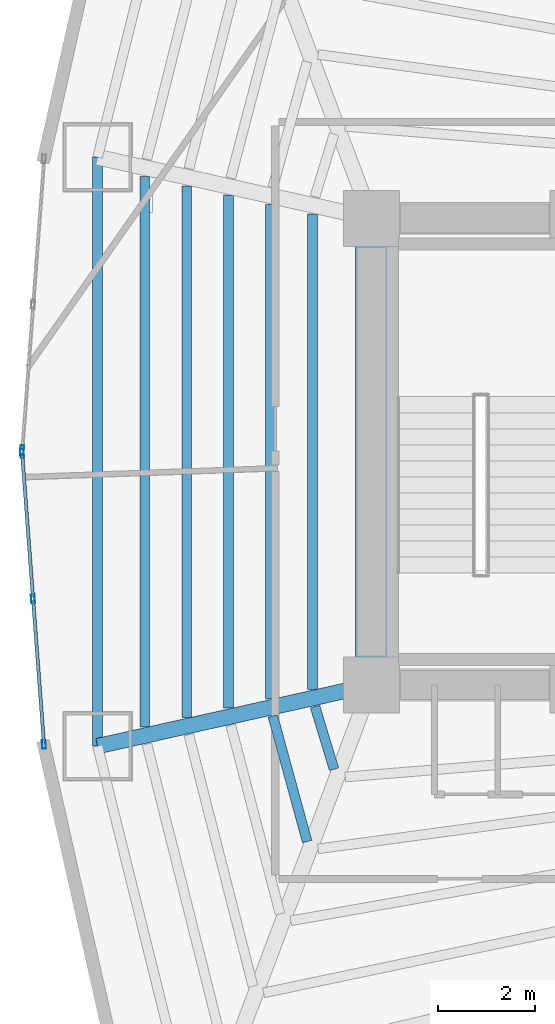
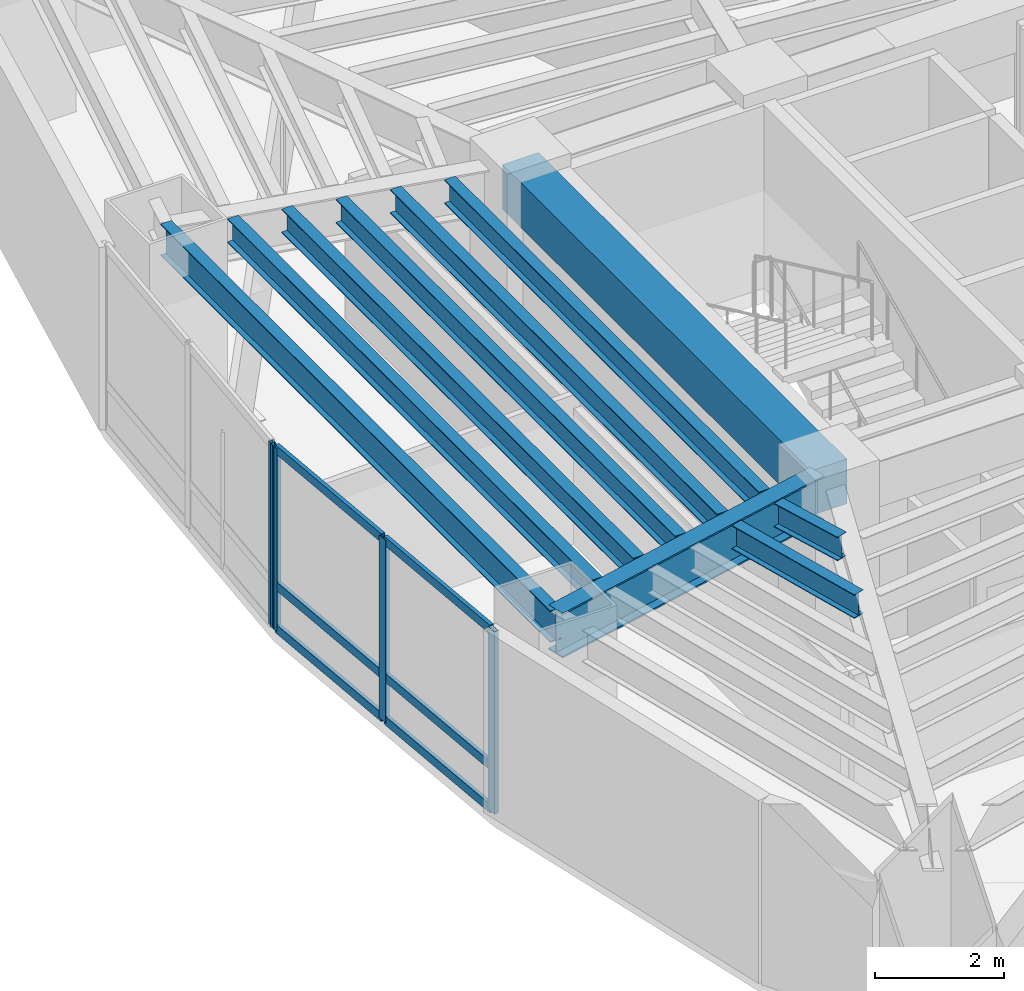
# One storey, part 3 of 20: 10 beams, 10 members, 2 elements without a shape of their own.
"""IFC4 building model written with IfcOpenShell, lengths in metres."""

from ifc_helpers import new_model, si_unit, direction, frame, origin, origin_2d, place, context, subcontext, project, spatial, rectangle, hollow_rectangle, i_section, extrude, material, layer, layer_set, material_profile, profile_set, type_object, element, aggregate, save


model = new_model("IFC4")

# Units and contexts
model_context = context("Model", 3, precision=1e-05, world=origin(), true_north=direction((0.0, 1.0)))
body_context = subcontext(model_context, "Body", "Model", "MODEL_VIEW")
ifc_project = project(units=[si_unit("LENGTHUNIT", "METRE"), si_unit("AREAUNIT", "SQUARE_METRE"), si_unit("VOLUMEUNIT", "CUBIC_METRE"), si_unit("PLANEANGLEUNIT", "RADIAN"), si_unit("MASSUNIT", "GRAM", prefix="KILO")], contexts=[model_context])

# Site, building, storey
site_placement = place(None, origin())
site = spatial("IfcSite", under=ifc_project, at=site_placement, CompositionType="ELEMENT")
building_placement = place(site_placement, origin())
building = spatial("IfcBuilding", under=site, at=building_placement, Name="Menara Vayukalpa", CompositionType="ELEMENT")
storey_placement = place(building_placement, frame((0.0, 0.0, 57.360107421875)))
storey = spatial("IfcBuildingStorey", under=building, at=storey_placement, Name="L13", CompositionType="ELEMENT", Elevation=57.360107421875)

# Beams
ifc_material_1 = material(Name="Concrete C60/75", Category="concrete")
ifc_material_profile_1 = material_profile(ifc_material_1, rectangle(XDim=0.64990234375, YDim=0.85009765625, at=origin_2d()), Name="RC 650x850")
ifc_profile_set_1 = profile_set([ifc_material_profile_1], Name="Concrete C60/75")
beam_type_1 = type_object("IfcBeamType", Name="BM-CB1", PredefinedType="BEAM", material=ifc_profile_set_1)
beam_1_placement = place(storey_placement, frame((17.800048828125, 17.199951171875, 3.044921875), z_axis=(0.0, 1.0, 0.0), x_axis=(-1.0, 0.0, 0.0)))
element("IfcBeam", 1, at=beam_1_placement, inside=storey, type_object=beam_type_1, Name="L13 Core Tie Beam CBR7", PredefinedType="BEAM", context=body_context, shape_type="SweptSolid", body=[
    extrude(rectangle(XDim=0.64990234375, YDim=0.85009765625, at=origin_2d()), origin(), (0.0, 0.0, 1.0), 9.60009765625),
])
ifc_material_2 = material(Name="Steel S355", Category="steel")
ifc_material_profile_2 = material_profile(ifc_material_2, i_section(OverallWidth=0.320068359375, OverallDepth=0.85009765625, WebThickness=0.01611328125, FlangeThickness=0.030029296875, at=origin_2d()), Name="WF 850x320x16x30")
ifc_profile_set_2 = profile_set([ifc_material_profile_2], Name="Steel S355")
beam_type_2 = type_object("IfcBeamType", Name="BM-PG2", PredefinedType="BEAM", material=ifc_profile_set_2)
beam_2_placement = place(storey_placement, frame((17.555908203125, 17.1455078125, 3.044921875), z_axis=(-0.975920137818, -0.218128138031, 0.0), x_axis=(0.218128138031, -0.975920137818, 0.0)))
element("IfcBeam", 2, at=beam_2_placement, inside=storey, type_object=beam_type_2, Name="L13 Primary Radial Girder RG06", PredefinedType="BEAM", context=body_context, shape_type="SweptSolid", body=[
    extrude(i_section(OverallWidth=0.320068359375, OverallDepth=0.85009765625, WebThickness=0.01611328125, FlangeThickness=0.030029296875, at=origin_2d()), origin(), (0.0, 0.0, 1.0), 5.524658203125),
])
ifc_material_3 = material(Name="Steel S355", Category="steel")
ifc_material_profile_3 = material_profile(ifc_material_3, i_section(OverallWidth=0.199951171875, OverallDepth=0.449951171875, WebThickness=0.009033203125, FlangeThickness=0.013916015625, at=origin_2d()), Name="WF 450x200x9x14")
ifc_profile_set_3 = profile_set([ifc_material_profile_3], Name="Steel S355")
beam_type_3 = type_object("IfcBeamType", Name="BM-SJ1", PredefinedType="JOIST", material=ifc_profile_set_3)
beam_3_placement = place(storey_placement, frame((16.58544921875, 26.891357421875, 3.244873046875), z_axis=(0.0, -1.0, 0.0), x_axis=(1.0, 0.0, 0.0)))
element("IfcBeam", 3, at=beam_3_placement, inside=storey, type_object=beam_type_3, Name="L13 Secondary Floor Joist SJ05-1", PredefinedType="JOIST", context=body_context, shape_type="SweptSolid", body=[
    extrude(i_section(OverallWidth=0.199951171875, OverallDepth=0.449951171875, WebThickness=0.009033203125, FlangeThickness=0.013916015625, at=origin_2d()), origin(), (0.0, 0.0, 1.0), 9.78271484375),
])
beam_4_placement = place(storey_placement, frame((15.722900390625, 27.084228515625, 3.244873046875), z_axis=(0.0, -1.0, 0.0), x_axis=(1.0, 0.0, 0.0)))
element("IfcBeam", 4, at=beam_4_placement, inside=storey, type_object=beam_type_3, Name="L13 Secondary Floor Joist SJ05-2", PredefinedType="JOIST", context=body_context, shape_type="SweptSolid", body=[
    extrude(i_section(OverallWidth=0.199951171875, OverallDepth=0.449951171875, WebThickness=0.009033203125, FlangeThickness=0.013916015625, at=origin_2d()), origin(), (0.0, 0.0, 1.0), 10.16845703125),
])
beam_5_placement = place(storey_placement, frame((14.860107421875, 27.277099609375, 3.244873046875), z_axis=(0.0, -1.0, 0.0), x_axis=(1.0, 0.0, 0.0)))
element("IfcBeam", 5, at=beam_5_placement, inside=storey, type_object=beam_type_3, Name="L13 Secondary Floor Joist SJ05-3", PredefinedType="JOIST", context=body_context, shape_type="SweptSolid", body=[
    extrude(i_section(OverallWidth=0.199951171875, OverallDepth=0.449951171875, WebThickness=0.009033203125, FlangeThickness=0.013916015625, at=origin_2d()), origin(), (0.0, 0.0, 1.0), 10.55419921875),
])
beam_6_placement = place(storey_placement, frame((13.997314453125, 27.469970703125, 3.244873046875), z_axis=(0.0, -1.0, 0.0), x_axis=(1.0, 0.0, 0.0)))
element("IfcBeam", 6, at=beam_6_placement, inside=storey, type_object=beam_type_3, Name="L13 Secondary Floor Joist SJ05-4", PredefinedType="JOIST", context=body_context, shape_type="SweptSolid", body=[
    extrude(i_section(OverallWidth=0.199951171875, OverallDepth=0.449951171875, WebThickness=0.009033203125, FlangeThickness=0.013916015625, at=origin_2d()), origin(), (0.0, 0.0, 1.0), 10.93994140625),
])
beam_7_placement = place(storey_placement, frame((13.134765625, 27.66259765625, 3.244873046875), z_axis=(0.0, -1.0, 0.0), x_axis=(1.0, 0.0, 0.0)))
element("IfcBeam", 7, at=beam_7_placement, inside=storey, type_object=beam_type_3, Name="L13 Secondary Floor Joist SJ05-5", PredefinedType="JOIST", context=body_context, shape_type="SweptSolid", body=[
    extrude(i_section(OverallWidth=0.199951171875, OverallDepth=0.449951171875, WebThickness=0.009033203125, FlangeThickness=0.013916015625, at=origin_2d()), origin(), (0.0, 0.0, 1.0), 11.3251953125),
])
beam_8_placement = place(storey_placement, frame((16.6376953125, 16.75634765625, 3.244873046875), z_axis=(0.291010568606, -0.956719838281, 0.0), x_axis=(0.956719838281, 0.291010568606, 0.0)))
element("IfcBeam", 8, at=beam_8_placement, inside=storey, type_object=beam_type_3, Name="L13 Secondary Floor Joist SJ06-1", PredefinedType="JOIST", context=body_context, shape_type="SweptSolid", body=[
    extrude(i_section(OverallWidth=0.199951171875, OverallDepth=0.449951171875, WebThickness=0.009033203125, FlangeThickness=0.013916015625, at=origin_2d()), origin(), (0.0, 0.0, 1.0), 1.3505859375),
])
beam_9_placement = place(storey_placement, frame((15.770263671875, 16.56201171875, 3.244873046875), z_axis=(0.263618546233, -0.964627006714, 0.0), x_axis=(0.964627006714, 0.263618546233, 0.0)))
element("IfcBeam", 9, at=beam_9_placement, inside=storey, type_object=beam_type_3, Name="L13 Secondary Floor Joist SJ06-2", PredefinedType="JOIST", context=body_context, shape_type="SweptSolid", body=[
    extrude(i_section(OverallWidth=0.199951171875, OverallDepth=0.449951171875, WebThickness=0.009033203125, FlangeThickness=0.013916015625, at=origin_2d()), origin(), (0.0, 0.0, 1.0), 2.67919921875),
])
ifc_material_4 = material(Name="Steel S355", Category="steel")
ifc_material_profile_4 = material_profile(ifc_material_4, i_section(OverallWidth=0.199951171875, OverallDepth=0.60009765625, WebThickness=0.010986328125, FlangeThickness=0.01708984375, at=origin_2d()), Name="WF 600x200x11x17")
ifc_profile_set_4 = profile_set([ifc_material_profile_4], Name="Steel S355")
beam_type_4 = type_object("IfcBeamType", Name="BM-SP1", PredefinedType="SPANDREL", material=ifc_profile_set_4)
beam_10_placement = place(storey_placement, frame((12.164306640625, 28.0595703125, 3.169921875), z_axis=(0.0, -1.0, 0.0), x_axis=(1.0, 0.0, 0.0)))
element("IfcBeam", 10, at=beam_10_placement, inside=storey, type_object=beam_type_4, Name="L13 Perimeter Spandrel Beam SP05", PredefinedType="SPANDREL", context=body_context, shape_type="SweptSolid", body=[
    extrude(i_section(OverallWidth=0.199951171875, OverallDepth=0.60009765625, WebThickness=0.010986328125, FlangeThickness=0.01708984375, at=origin_2d()), origin(), (0.0, 0.0, 1.0), 12.119140625),
])

# Curtain wall, member
ifc_material_5 = material(Name="Anodised Terracotta Aluminium Alloy 6063-T6", Category="masonry")
ifc_layer = layer(ifc_material_5, 0.179931640625)
ifc_layer_set = layer_set([ifc_layer], Name="Anodised Terracotta Aluminium Alloy 6063-T6")
curtain_wall_type = type_object("IfcCurtainWallType", Name="CW-CW4", PredefinedType="USERDEFINED", material=ifc_layer_set)
curtain_wall_1_placement = place(storey_placement, origin())
curtain_wall_1 = element("IfcCurtainWall", 11, at=curtain_wall_1_placement, inside=storey, type_object=curtain_wall_type, Name="L13 Sky Bar Cantilever Glazed Curtain Wall CW4 10", ObjectType="UNITISED", PredefinedType="USERDEFINED")
ifc_material_6 = material(Name="Anodised Terracotta Aluminium Alloy 6063-T6", Category="masonry")
ifc_material_profile_5 = material_profile(ifc_material_6, hollow_rectangle(XDim=0.074951171875, YDim=0.179931640625, WallThickness=0.00390625, at=origin_2d()), Name="ALU 75x180x4")
ifc_profile_set_5 = profile_set([ifc_material_profile_5], Name="Anodised Terracotta Aluminium Alloy 6063-T6")
member_type_1 = type_object("IfcMemberType", Name="CWM-CW4", PredefinedType="MULLION", material=ifc_profile_set_5)
member_1_placement = place(storey_placement, frame((10.612548828125, 22.037353515625, 0.0), z_axis=(0.0, 0.0, 1.0), x_axis=(0.997198941676, -0.074794857576, 0.0)))
member_1 = element("IfcMember", 12, at=member_1_placement, type_object=member_type_1, Name="CW4 mullion 3", PredefinedType="MULLION", context=body_context, shape_type="SweptSolid", body=[
    extrude(hollow_rectangle(XDim=0.074951171875, YDim=0.179931640625, WallThickness=0.00390625, at=origin_2d()), origin(), (0.0, 0.0, 1.0), 3.469970703125),
])
aggregate(curtain_wall_1, [member_1])

# Curtain wall, members
curtain_wall_2_placement = place(storey_placement, origin())
curtain_wall_2 = element("IfcCurtainWall", 13, at=curtain_wall_2_placement, inside=storey, type_object=curtain_wall_type, Name="L13 Sky Bar Cantilever Glazed Curtain Wall CW4 11", ObjectType="UNITISED", PredefinedType="USERDEFINED")
member_2_placement = place(storey_placement, frame((10.612548828125, 21.962646484375, 0.0), z_axis=(0.0, 0.0, 1.0), x_axis=(0.997198941676, 0.074794857576, 0.0)))
member_2 = element("IfcMember", 14, at=member_2_placement, type_object=member_type_1, Name="CW4 mullion 1", PredefinedType="MULLION", context=body_context, shape_type="SweptSolid", body=[
    extrude(hollow_rectangle(XDim=0.074951171875, YDim=0.179931640625, WallThickness=0.00390625, at=origin_2d()), origin(), (0.0, 0.0, 1.0), 3.469970703125),
])
member_3_placement = place(storey_placement, frame((10.8369140625, 18.97021484375, 0.0), z_axis=(0.0, 0.0, 1.0), x_axis=(0.997198941676, 0.074794857576, 0.0)))
member_3 = element("IfcMember", 15, at=member_3_placement, type_object=member_type_1, Name="CW4 mullion 2", PredefinedType="MULLION", context=body_context, shape_type="SweptSolid", body=[
    extrude(hollow_rectangle(XDim=0.074951171875, YDim=0.179931640625, WallThickness=0.00390625, at=origin_2d()), origin(), (0.0, 0.0, 1.0), 3.469970703125),
])
member_4_placement = place(storey_placement, frame((11.061279296875, 15.977783203125, 0.0), z_axis=(0.0, 0.0, 1.0), x_axis=(0.997198941676, 0.074794857576, 0.0)))
member_4 = element("IfcMember", 16, at=member_4_placement, type_object=member_type_1, Name="CW4 mullion 3", PredefinedType="MULLION", context=body_context, shape_type="SweptSolid", body=[
    extrude(hollow_rectangle(XDim=0.074951171875, YDim=0.179931640625, WallThickness=0.00390625, at=origin_2d()), origin(), (0.0, 0.0, 1.0), 3.469970703125),
])
ifc_material_7 = material(Name="Anodised Terracotta Aluminium Alloy 6063-T6", Category="masonry")
ifc_material_profile_6 = material_profile(ifc_material_7, hollow_rectangle(XDim=0.070068359375, YDim=0.1650390625, WallThickness=0.00390625, at=origin_2d()), Name="ALU 70x165x4")
ifc_profile_set_6 = profile_set([ifc_material_profile_6], Name="Anodised Terracotta Aluminium Alloy 6063-T6")
member_type_2 = type_object("IfcMemberType", Name="CWT-CW4", PredefinedType="USERDEFINED", material=ifc_profile_set_6)
member_5_placement = place(storey_placement, frame((10.615234375, 21.92529296875, 0.034912109375), z_axis=(0.074845955291, -0.997195107778, 0.0), x_axis=(0.997195107778, 0.074845955291, 0.0)))
member_5 = element("IfcMember", 17, at=member_5_placement, type_object=member_type_2, Name="CW4 transom 1.1", ObjectType="TRANSOM", PredefinedType="USERDEFINED", context=body_context, shape_type="SweptSolid", body=[
    extrude(hollow_rectangle(XDim=0.070068359375, YDim=0.1650390625, WallThickness=0.00390625, at=origin_2d()), origin(), (0.0, 0.0, 1.0), 2.926025390625),
])
member_6_placement = place(storey_placement, frame((10.615234375, 21.92529296875, 0.849853515625), z_axis=(0.074845955291, -0.997195107778, 0.0), x_axis=(0.997195107778, 0.074845955291, 0.0)))
member_6 = element("IfcMember", 18, at=member_6_placement, type_object=member_type_2, Name="CW4 transom 1.2", ObjectType="TRANSOM", PredefinedType="USERDEFINED", context=body_context, shape_type="SweptSolid", body=[
    extrude(hollow_rectangle(XDim=0.070068359375, YDim=0.1650390625, WallThickness=0.00390625, at=origin_2d()), origin(), (0.0, 0.0, 1.0), 2.926025390625),
])
member_7_placement = place(storey_placement, frame((10.615234375, 21.92529296875, 3.434814453125), z_axis=(0.074845955291, -0.997195107778, 0.0), x_axis=(0.997195107778, 0.074845955291, 0.0)))
member_7 = element("IfcMember", 19, at=member_7_placement, type_object=member_type_2, Name="CW4 transom 1.3", ObjectType="TRANSOM", PredefinedType="USERDEFINED", context=body_context, shape_type="SweptSolid", body=[
    extrude(hollow_rectangle(XDim=0.070068359375, YDim=0.1650390625, WallThickness=0.00390625, at=origin_2d()), origin(), (0.0, 0.0, 1.0), 2.926025390625),
])
member_8_placement = place(storey_placement, frame((10.83984375, 18.932861328125, 0.034912109375), z_axis=(0.074762981632, -0.997201332017, 0.0), x_axis=(0.997201332017, 0.074762981632, 0.0)))
member_8 = element("IfcMember", 20, at=member_8_placement, type_object=member_type_2, Name="CW4 transom 2.1", ObjectType="TRANSOM", PredefinedType="USERDEFINED", context=body_context, shape_type="SweptSolid", body=[
    extrude(hollow_rectangle(XDim=0.070068359375, YDim=0.1650390625, WallThickness=0.00390625, at=origin_2d()), origin(), (0.0, 0.0, 1.0), 2.926025390625),
])
member_9_placement = place(storey_placement, frame((10.83984375, 18.932861328125, 0.849853515625), z_axis=(0.074762981632, -0.997201332017, 0.0), x_axis=(0.997201332017, 0.074762981632, 0.0)))
member_9 = element("IfcMember", 21, at=member_9_placement, type_object=member_type_2, Name="CW4 transom 2.2", ObjectType="TRANSOM", PredefinedType="USERDEFINED", context=body_context, shape_type="SweptSolid", body=[
    extrude(hollow_rectangle(XDim=0.070068359375, YDim=0.1650390625, WallThickness=0.00390625, at=origin_2d()), origin(), (0.0, 0.0, 1.0), 2.926025390625),
])
member_10_placement = place(storey_placement, frame((10.83984375, 18.932861328125, 3.434814453125), z_axis=(0.074762981632, -0.997201332017, 0.0), x_axis=(0.997201332017, 0.074762981632, 0.0)))
member_10 = element("IfcMember", 22, at=member_10_placement, type_object=member_type_2, Name="CW4 transom 2.3", ObjectType="TRANSOM", PredefinedType="USERDEFINED", context=body_context, shape_type="SweptSolid", body=[
    extrude(hollow_rectangle(XDim=0.070068359375, YDim=0.1650390625, WallThickness=0.00390625, at=origin_2d()), origin(), (0.0, 0.0, 1.0), 2.926025390625),
])
aggregate(curtain_wall_2, [member_2, member_3, member_4, member_5, member_6, member_7, member_8, member_9, member_10])

save(model, "model.ifc")
